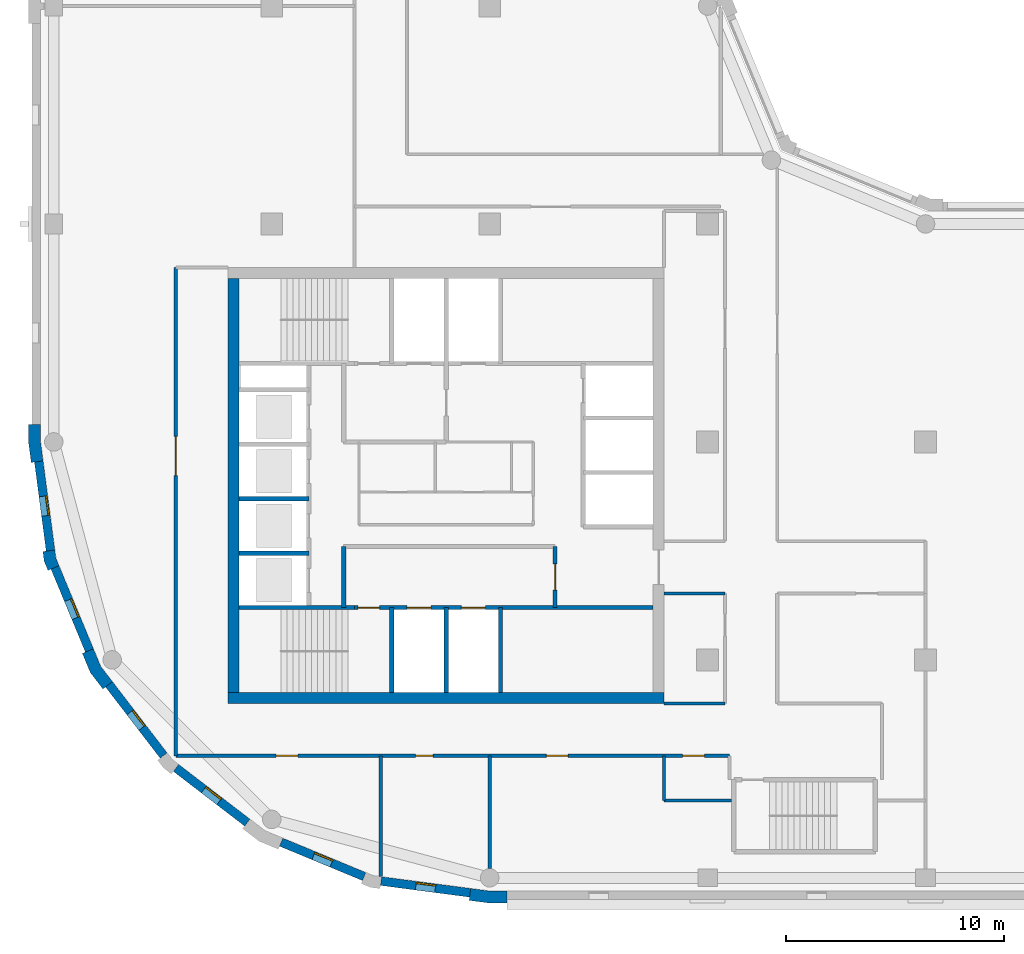
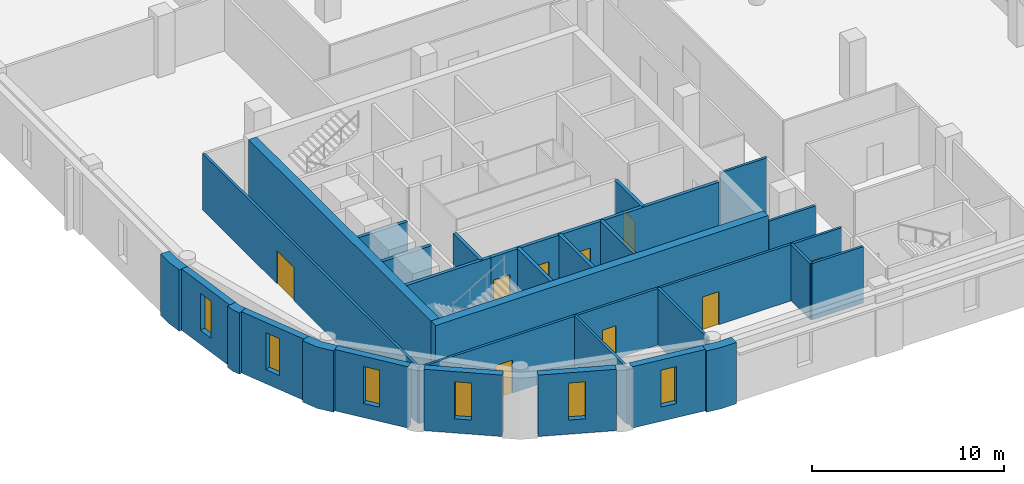
# One storey, part 2 of 9: 29 walls, 9 doors, 6 windows, 15 openings.
"""IFC4 building model written with IfcOpenShell, lengths in metres."""

from ifc_helpers import new_model, si_unit, direction, frame, frame_2d, origin, place, context, subcontext, project, spatial, polyline, rectangle, outline, extrude, material, layer, layer_set, type_object, element, fill, save


model = new_model("IFC4")

# Units and contexts
model_context = context("Model", 3, precision=1e-05, world=origin(), true_north=direction((0.0, 1.0)))
body_context = subcontext(model_context, "Body", "Model", "MODEL_VIEW")
ifc_project = project(units=[si_unit("LENGTHUNIT", "METRE"), si_unit("AREAUNIT", "SQUARE_METRE"), si_unit("VOLUMEUNIT", "CUBIC_METRE"), si_unit("PLANEANGLEUNIT", "RADIAN"), si_unit("MASSUNIT", "GRAM", prefix="KILO")], contexts=[model_context])

# Site, building, storey
site_placement = place(None, origin())
site = spatial("IfcSite", under=ifc_project, at=site_placement, CompositionType="ELEMENT")
building_placement = place(site_placement, origin())
building = spatial("IfcBuilding", under=site, at=building_placement, Name="Qaws Garden Tower", CompositionType="ELEMENT")
storey_placement = place(building_placement, frame((0.0, 0.0, 255.300048828125)))
storey = spatial("IfcBuildingStorey", under=building, at=storey_placement, Name="L61", CompositionType="ELEMENT", Elevation=255.300048828125)

# Wall, opening, window
ifc_material_1 = material(Name="Clay facing brick masonry", Category="masonry")
ifc_layer_1 = layer(ifc_material_1, 0.39990234375)
ifc_layer_set_1 = layer_set([ifc_layer_1], Name="Clay facing brick masonry")
wall_type_1 = type_object("IfcWallType", Name="Brick infill wall 400", PredefinedType="SOLIDWALL", material=ifc_layer_set_1)
wall_1_placement = place(storey_placement, frame((-0.688720703125, 19.102294921875, 0.0), z_axis=(0.0, 0.0, 1.0), x_axis=(0.130514280502, -0.991446429508, 0.0)))
wall_1 = element("IfcWall", 1, at=wall_1_placement, inside=storey, type_object=wall_type_1, Name="E-L61-infill-23", PredefinedType="SOLIDWALL", context=body_context, shape_type="SweptSolid", body=[
    extrude(rectangle(XDim=4.120849609375, YDim=0.39990234375, at=frame_2d((2.060546875, 0.0))), origin(), (0.0, 0.0, 1.0), 3.89990234375),
])
opening_1_placement = place(wall_1_placement, frame((1.610595703125, 0.0, 0.89990234375)))
opening_1 = element("IfcOpeningElement", 2, at=opening_1_placement, cuts=wall_1, Name="Opening W09", PredefinedType="OPENING", context=body_context, shape_type="SweptSolid", body=[
    extrude(rectangle(XDim=0.89990234375, YDim=2.35009765625, at=frame_2d((0.449951171875, 1.175048828125))), frame((0.0, 0.2099609375, 0.0), z_axis=(0.0, -1.0, 0.0), x_axis=(1.0, 0.0, 0.0)), (0.0, 0.0, 1.0), 0.419921875),
])
ifc_material_2 = material(Name="Aluminium framed window, clear glazing", Category="aluminium")
window_type = type_object("IfcWindowType", Name="Slit window 900 x 2350", PartitioningType="SINGLE_PANEL", PredefinedType="WINDOW", material=ifc_material_2)
window_1_placement = place(opening_1_placement, origin())
window_1 = element("IfcWindow", 3, at=window_1_placement, inside=storey, type_object=window_type, Name="E-L61-window-23-0", OverallHeight=2.35009765625, OverallWidth=0.89990234375, PartitioningType="SINGLE_PANEL", PredefinedType="WINDOW", context=body_context, shape_type="SweptSolid", body=[
    extrude(rectangle(XDim=0.89990234375, YDim=2.35009765625, at=frame_2d((0.449951171875, 1.175048828125))), frame((0.0, 0.159912109375, 0.0), z_axis=(0.0, -1.0, 0.0), x_axis=(1.0, 0.0, 0.0)), (0.0, 0.0, 1.0), 0.06005859375),
])
fill(opening_1, window_1)

wall_2_placement = place(storey_placement, frame((0.05712890625, 14.240234375, 0.0), z_axis=(0.0, 0.0, 1.0), x_axis=(0.382721546029, -0.923863744394, 0.0)))
wall_2 = element("IfcWall", 4, at=wall_2_placement, inside=storey, type_object=wall_type_1, Name="E-L61-infill-24", PredefinedType="SOLIDWALL", context=body_context, shape_type="SweptSolid", body=[
    extrude(rectangle(XDim=4.120849609375, YDim=0.39990234375, at=frame_2d((2.060546875, 0.0))), origin(), (0.0, 0.0, 1.0), 3.89990234375),
])
opening_2_placement = place(wall_2_placement, frame((1.610595703125, 0.0, 0.89990234375)))
opening_2 = element("IfcOpeningElement", 5, at=opening_2_placement, cuts=wall_2, Name="Opening W09", PredefinedType="OPENING", context=body_context, shape_type="SweptSolid", body=[
    extrude(rectangle(XDim=0.89990234375, YDim=2.35009765625, at=frame_2d((0.449951171875, 1.175048828125))), frame((0.0, 0.2099609375, 0.0), z_axis=(0.0, -1.0, 0.0), x_axis=(1.0, 0.0, 0.0)), (0.0, 0.0, 1.0), 0.419921875),
])
window_2_placement = place(opening_2_placement, origin())
window_2 = element("IfcWindow", 6, at=window_2_placement, inside=storey, type_object=window_type, Name="E-L61-window-24-0", OverallHeight=2.35009765625, OverallWidth=0.89990234375, PartitioningType="SINGLE_PANEL", PredefinedType="WINDOW", context=body_context, shape_type="SweptSolid", body=[
    extrude(rectangle(XDim=0.89990234375, YDim=2.35009765625, at=frame_2d((0.449951171875, 1.175048828125))), frame((0.0, 0.159912109375, 0.0), z_axis=(0.0, -1.0, 0.0), x_axis=(1.0, 0.0, 0.0)), (0.0, 0.0, 1.0), 0.06005859375),
])
fill(opening_2, window_2)

wall_3_placement = place(storey_placement, frame((2.53173828125, 8.87841796875, 0.0), z_axis=(0.0, 0.0, 1.0), x_axis=(0.608759824817, -0.793354571229, 0.0)))
wall_3 = element("IfcWall", 7, at=wall_3_placement, inside=storey, type_object=wall_type_1, Name="E-L61-infill-25", PredefinedType="SOLIDWALL", context=body_context, shape_type="SweptSolid", body=[
    extrude(rectangle(XDim=4.12109375, YDim=0.39990234375, at=frame_2d((2.060546875, 0.0))), origin(), (0.0, 0.0, 1.0), 3.89990234375),
])
opening_3_placement = place(wall_3_placement, frame((1.610595703125, 0.0, 0.89990234375)))
opening_3 = element("IfcOpeningElement", 8, at=opening_3_placement, cuts=wall_3, Name="Opening W09", PredefinedType="OPENING", context=body_context, shape_type="SweptSolid", body=[
    extrude(rectangle(XDim=0.89990234375, YDim=2.35009765625, at=frame_2d((0.449951171875, 1.175048828125))), frame((0.0, 0.2099609375, 0.0), z_axis=(0.0, -1.0, 0.0), x_axis=(1.0, 0.0, 0.0)), (0.0, 0.0, 1.0), 0.419921875),
])
window_3_placement = place(opening_3_placement, origin())
window_3 = element("IfcWindow", 9, at=window_3_placement, inside=storey, type_object=window_type, Name="E-L61-window-25-0", OverallHeight=2.35009765625, OverallWidth=0.89990234375, PartitioningType="SINGLE_PANEL", PredefinedType="WINDOW", context=body_context, shape_type="SweptSolid", body=[
    extrude(rectangle(XDim=0.89990234375, YDim=2.35009765625, at=frame_2d((0.449951171875, 1.175048828125))), frame((0.0, 0.159912109375, 0.0), z_axis=(0.0, -1.0, 0.0), x_axis=(1.0, 0.0, 0.0)), (0.0, 0.0, 1.0), 0.06005859375),
])
fill(opening_3, window_3)

wall_4_placement = place(storey_placement, frame((5.60888671875, 5.04052734375, 0.0), z_axis=(0.0, 0.0, 1.0), x_axis=(0.793354571229, -0.608759824817, 0.0)))
wall_4 = element("IfcWall", 10, at=wall_4_placement, inside=storey, type_object=wall_type_1, Name="E-L61-infill-26", PredefinedType="SOLIDWALL", context=body_context, shape_type="SweptSolid", body=[
    extrude(rectangle(XDim=4.12109375, YDim=0.39990234375, at=frame_2d((2.060546875, 0.0))), origin(), (0.0, 0.0, 1.0), 3.89990234375),
])
opening_4_placement = place(wall_4_placement, frame((1.610595703125, 0.0, 0.89990234375)))
opening_4 = element("IfcOpeningElement", 11, at=opening_4_placement, cuts=wall_4, Name="Opening W09", PredefinedType="OPENING", context=body_context, shape_type="SweptSolid", body=[
    extrude(rectangle(XDim=0.89990234375, YDim=2.35009765625, at=frame_2d((0.449951171875, 1.175048828125))), frame((0.0, 0.2099609375, 0.0), z_axis=(0.0, -1.0, 0.0), x_axis=(1.0, 0.0, 0.0)), (0.0, 0.0, 1.0), 0.419921875),
])
window_4_placement = place(opening_4_placement, origin())
window_4 = element("IfcWindow", 12, at=window_4_placement, inside=storey, type_object=window_type, Name="E-L61-window-26-0", OverallHeight=2.35009765625, OverallWidth=0.89990234375, PartitioningType="SINGLE_PANEL", PredefinedType="WINDOW", context=body_context, shape_type="SweptSolid", body=[
    extrude(rectangle(XDim=0.89990234375, YDim=2.35009765625, at=frame_2d((0.449951171875, 1.175048828125))), frame((0.0, 0.159912109375, 0.0), z_axis=(0.0, -1.0, 0.0), x_axis=(1.0, 0.0, 0.0)), (0.0, 0.0, 1.0), 0.06005859375),
])
fill(opening_4, window_4)

wall_5_placement = place(storey_placement, frame((10.43310546875, 1.63427734375, 0.0), z_axis=(0.0, 0.0, 1.0), x_axis=(0.923863744394, -0.382721546029, 0.0)))
wall_5 = element("IfcWall", 13, at=wall_5_placement, inside=storey, type_object=wall_type_1, Name="E-L61-infill-27", PredefinedType="SOLIDWALL", context=body_context, shape_type="SweptSolid", body=[
    extrude(rectangle(XDim=4.120849609375, YDim=0.39990234375, at=frame_2d((2.060546875, 0.0))), origin(), (0.0, 0.0, 1.0), 3.89990234375),
])
opening_5_placement = place(wall_5_placement, frame((1.610595703125, 0.0, 0.89990234375)))
opening_5 = element("IfcOpeningElement", 14, at=opening_5_placement, cuts=wall_5, Name="Opening W09", PredefinedType="OPENING", context=body_context, shape_type="SweptSolid", body=[
    extrude(rectangle(XDim=0.89990234375, YDim=2.35009765625, at=frame_2d((0.449951171875, 1.175048828125))), frame((0.0, 0.2099609375, 0.0), z_axis=(0.0, -1.0, 0.0), x_axis=(1.0, 0.0, 0.0)), (0.0, 0.0, 1.0), 0.419921875),
])
window_5_placement = place(opening_5_placement, origin())
window_5 = element("IfcWindow", 15, at=window_5_placement, inside=storey, type_object=window_type, Name="E-L61-window-27-0", OverallHeight=2.35009765625, OverallWidth=0.89990234375, PartitioningType="SINGLE_PANEL", PredefinedType="WINDOW", context=body_context, shape_type="SweptSolid", body=[
    extrude(rectangle(XDim=0.89990234375, YDim=2.35009765625, at=frame_2d((0.449951171875, 1.175048828125))), frame((0.0, 0.159912109375, 0.0), z_axis=(0.0, -1.0, 0.0), x_axis=(1.0, 0.0, 0.0)), (0.0, 0.0, 1.0), 0.06005859375),
])
fill(opening_5, window_5)

wall_6_placement = place(storey_placement, frame((15.0166015625, -0.15087890625, 0.0), z_axis=(0.0, 0.0, 1.0), x_axis=(0.991446429508, -0.130514280502, 0.0)))
wall_6 = element("IfcWall", 16, at=wall_6_placement, inside=storey, type_object=wall_type_1, Name="E-L61-infill-28", PredefinedType="SOLIDWALL", context=body_context, shape_type="SweptSolid", body=[
    extrude(rectangle(XDim=4.120849609375, YDim=0.39990234375, at=frame_2d((2.060546875, 0.0))), origin(), (0.0, 0.0, 1.0), 3.89990234375),
])
opening_6_placement = place(wall_6_placement, frame((1.610595703125, 0.0, 0.89990234375)))
opening_6 = element("IfcOpeningElement", 17, at=opening_6_placement, cuts=wall_6, Name="Opening W09", PredefinedType="OPENING", context=body_context, shape_type="SweptSolid", body=[
    extrude(rectangle(XDim=0.89990234375, YDim=2.35009765625, at=frame_2d((0.449951171875, 1.175048828125))), frame((0.0, 0.2099609375, 0.0), z_axis=(0.0, -1.0, 0.0), x_axis=(1.0, 0.0, 0.0)), (0.0, 0.0, 1.0), 0.419921875),
])
window_6_placement = place(opening_6_placement, origin())
window_6 = element("IfcWindow", 18, at=window_6_placement, inside=storey, type_object=window_type, Name="E-L61-window-28-0", OverallHeight=2.35009765625, OverallWidth=0.89990234375, PartitioningType="SINGLE_PANEL", PredefinedType="WINDOW", context=body_context, shape_type="SweptSolid", body=[
    extrude(rectangle(XDim=0.89990234375, YDim=2.35009765625, at=frame_2d((0.449951171875, 1.175048828125))), frame((0.0, 0.159912109375, 0.0), z_axis=(0.0, -1.0, 0.0), x_axis=(1.0, 0.0, 0.0)), (0.0, 0.0, 1.0), 0.06005859375),
])
fill(opening_6, window_6)

# Walls
ifc_material_3 = material(Name="Clay facing brick masonry", Category="masonry")
ifc_layer_2 = layer(ifc_material_3, 0.550048828125)
ifc_layer_set_2 = layer_set([ifc_layer_2], Name="Clay facing brick masonry")
wall_type_2 = type_object("IfcWallType", Name="Brick kink pier 550 x 600", PredefinedType="SOLIDWALL", material=ifc_layer_set_2)
placement = place(storey_placement, origin())
element("IfcWall", 19, at=placement, inside=storey, type_object=wall_type_2, Name="E-L61-pier-24", PredefinedType="SOLIDWALL", context=body_context, shape_type="SweptSolid", body=[
    extrude(outline(polyline([(-0.34912109375, 14.990478515625), (-0.497802734375, 14.970947265625), (-0.43896484375, 14.5234375), (-0.26611328125, 14.1064453125), (-0.127685546875, 14.163818359375), (0.241943359375, 14.31689453125), (0.096923828125, 14.6669921875), (0.04736328125, 15.042724609375), (-0.34912109375, 14.990478515625)])), origin(), (0.0, 0.0, 1.0), 3.89990234375),
])
ifc_material_4 = material(Name="Clay facing brick masonry", Category="masonry")
ifc_layer_3 = layer(ifc_material_4, 0.550048828125)
ifc_layer_set_3 = layer_set([ifc_layer_3], Name="Clay facing brick masonry")
wall_type_3 = type_object("IfcWallType", Name="Brick pier 550 x 1600", PredefinedType="SOLIDWALL", material=ifc_layer_set_3)
element("IfcWall", 20, at=placement, inside=storey, type_object=wall_type_3, Name="E-L61-pier-00", PredefinedType="SOLIDWALL", context=body_context, shape_type="SweptSolid", body=[
    extrude(outline(polyline([(19.076416015625, -0.886962890625), (19.056640625, -1.03564453125), (19.924560546875, -1.14990234375), (20.800048828125, -1.14990234375), (20.800048828125, -1.0), (20.800048828125, -0.60009765625), (19.960693359375, -0.60009765625), (19.12841796875, -0.490478515625), (19.076416015625, -0.886962890625)])), origin(), (0.0, 0.0, 1.0), 3.89990234375),
])
element("IfcWall", 21, at=placement, inside=storey, type_object=wall_type_3, Name="E-L61-pier-23", PredefinedType="SOLIDWALL", context=body_context, shape_type="SweptSolid", body=[
    extrude(outline(polyline([(-1.0, 20.800048828125), (-1.14990234375, 20.800048828125), (-1.14990234375, 19.924560546875), (-1.03564453125, 19.056640625), (-0.886962890625, 19.076416015625), (-0.490478515625, 19.12841796875), (-0.60009765625, 19.960693359375), (-0.60009765625, 20.800048828125), (-1.0, 20.800048828125)])), origin(), (0.0, 0.0, 1.0), 3.89990234375),
])
element("IfcWall", 22, at=placement, inside=storey, type_object=wall_type_3, Name="E-L61-pier-25", PredefinedType="SOLIDWALL", context=body_context, shape_type="SweptSolid", body=[
    extrude(outline(polyline([(1.449462890625, 10.3564453125), (1.310791015625, 10.299072265625), (1.675048828125, 9.419921875), (2.254150390625, 8.665283203125), (2.373046875, 8.756591796875), (2.6904296875, 9.0), (2.1552734375, 9.697509765625), (1.819091796875, 10.509521484375), (1.449462890625, 10.3564453125)])), origin(), (0.0, 0.0, 1.0), 3.89990234375),
])
ifc_material_5 = material(Name="Concrete C60", Category="concrete")
ifc_layer_4 = layer(ifc_material_5, 0.199951171875)
ifc_layer_set_4 = layer_set([ifc_layer_4], Name="Concrete C60")
wall_type_4 = type_object("IfcWallType", Name="Core shaft wall 200 C60", PredefinedType="SHEAR", material=ifc_layer_set_4)
wall_11_placement = place(storey_placement, frame((8.5, 12.39990234375, 0.0), z_axis=(0.0, 0.0, 1.0), x_axis=(1.0, 0.0, 0.0)))
element("IfcWall", 23, at=wall_11_placement, inside=storey, type_object=wall_type_4, Name="Shaft wall", PredefinedType="SHEAR", context=body_context, shape_type="SweptSolid", body=[
    extrude(rectangle(XDim=5.300048828125, YDim=0.199951171875, at=frame_2d((2.64990234375, 0.0))), origin(), (0.0, 0.0, 1.0), 3.579833984375),
])

# Wall, openings, doors
wall_12_placement = place(storey_placement, frame((13.800048828125, 12.39990234375, 0.0), z_axis=(0.0, 0.0, 1.0), x_axis=(1.0, 0.0, 0.0)))
wall_12 = element("IfcWall", 24, at=wall_12_placement, inside=storey, type_object=wall_type_4, Name="Shaft wall", PredefinedType="SHEAR", context=body_context, shape_type="SweptSolid", body=[
    extrude(rectangle(XDim=13.699951171875, YDim=0.199951171875, at=frame_2d((6.85009765625, 0.0))), origin(), (0.0, 0.0, 1.0), 3.579833984375),
])
opening_7_placement = place(wall_12_placement, frame((2.39990234375, 0.0, 0.0)))
opening_7 = element("IfcOpeningElement", 25, at=opening_7_placement, cuts=wall_12, Name="Opening LD06", PredefinedType="OPENING", context=body_context, shape_type="SweptSolid", body=[
    extrude(rectangle(XDim=1.10009765625, YDim=2.10009765625, at=frame_2d((0.550048828125, 1.050048828125))), frame((0.0, 0.10986328125, 0.0), z_axis=(0.0, -1.0, 0.0), x_axis=(1.0, 0.0, 0.0)), (0.0, 0.0, 1.0), 0.219970703125),
])
opening_8_placement = place(wall_12_placement, frame((4.89990234375, 0.0, 0.0)))
opening_8 = element("IfcOpeningElement", 26, at=opening_8_placement, cuts=wall_12, Name="Opening LD07", PredefinedType="OPENING", context=body_context, shape_type="SweptSolid", body=[
    extrude(rectangle(XDim=1.10009765625, YDim=2.10009765625, at=frame_2d((0.550048828125, 1.050048828125))), frame((0.0, 0.10986328125, 0.0), z_axis=(0.0, -1.0, 0.0), x_axis=(1.0, 0.0, 0.0)), (0.0, 0.0, 1.0), 0.219970703125),
])
opening_9_placement = place(wall_12_placement, frame((0.14990234375, 0.0, 0.0)))
opening_9 = element("IfcOpeningElement", 27, at=opening_9_placement, cuts=wall_12, Name="Opening SD10", PredefinedType="OPENING", context=body_context, shape_type="SweptSolid", body=[
    extrude(rectangle(XDim=1.0, YDim=2.10009765625, at=frame_2d((0.5, 1.050048828125))), frame((0.0, 0.10986328125, 0.0), z_axis=(0.0, -1.0, 0.0), x_axis=(1.0, 0.0, 0.0)), (0.0, 0.0, 1.0), 0.219970703125),
])
ifc_material_6 = material(Name="Steel S235", Category="steel")
door_type_1 = type_object("IfcDoorType", Name="Landing door 1100x2100", OperationType="DOUBLE_DOOR_SLIDING", PredefinedType="DOOR", material=ifc_material_6)
door_1_placement = place(opening_7_placement, origin())
door_1 = element("IfcDoor", 28, at=door_1_placement, inside=storey, type_object=door_type_1, Name="Lift FF1 landing door", OperationType="DOUBLE_DOOR_SLIDING", OverallHeight=2.10009765625, OverallWidth=1.10009765625, PredefinedType="DOOR", context=body_context, shape_type="SweptSolid", body=[
    extrude(rectangle(XDim=1.10009765625, YDim=2.10009765625, at=frame_2d((0.550048828125, 1.050048828125))), frame((0.0, 0.02490234375, 0.0), z_axis=(0.0, -1.0, 0.0), x_axis=(1.0, 0.0, 0.0)), (0.0, 0.0, 1.0), 0.050048828125),
])
fill(opening_7, door_1)
door_2_placement = place(opening_8_placement, origin())
door_2 = element("IfcDoor", 29, at=door_2_placement, inside=storey, type_object=door_type_1, Name="Lift FF2 landing door", OperationType="DOUBLE_DOOR_SLIDING", OverallHeight=2.10009765625, OverallWidth=1.10009765625, PredefinedType="DOOR", context=body_context, shape_type="SweptSolid", body=[
    extrude(rectangle(XDim=1.10009765625, YDim=2.10009765625, at=frame_2d((0.550048828125, 1.050048828125))), frame((0.0, 0.02490234375, 0.0), z_axis=(0.0, -1.0, 0.0), x_axis=(1.0, 0.0, 0.0)), (0.0, 0.0, 1.0), 0.050048828125),
])
fill(opening_8, door_2)
ifc_material_7 = material(Name="Steel S235", Category="steel")
door_type_2 = type_object("IfcDoorType", Name="Stair door 1000x2100", OperationType="SINGLE_SWING_RIGHT", PredefinedType="DOOR", material=ifc_material_7)
door_3_placement = place(opening_9_placement, frame((1.0, 0.0, 0.0), z_axis=(0.0, 0.0, 1.0), x_axis=(-1.0, 0.0, 0.0)))
door_3 = element("IfcDoor", 30, at=door_3_placement, inside=storey, type_object=door_type_2, Name="Stair 1 door", OperationType="SINGLE_SWING_LEFT", OverallHeight=2.10009765625, OverallWidth=1.0, PredefinedType="DOOR", context=body_context, shape_type="SweptSolid", body=[
    extrude(rectangle(XDim=1.0, YDim=2.10009765625, at=frame_2d((0.5, 1.050048828125))), frame((0.0, 0.02490234375, 0.0), z_axis=(0.0, -1.0, 0.0), x_axis=(1.0, 0.0, 0.0)), (0.0, 0.0, 1.0), 0.050048828125),
])
fill(opening_9, door_3)

# Walls
for number, where, z_axis, x_axis, name in (
    (31, (8.5, 14.89990234375, 0.0), (0.0, 0.0, 1.0), (1.0, 0.0, 0.0), "Shaft wall"),
    (32, (8.5, 17.39990234375, 0.0), (0.0, 0.0, 1.0), (1.0, 0.0, 0.0), "Shaft wall"),
):
    element("IfcWall", number, at=place(storey_placement, frame(where, z_axis=z_axis, x_axis=x_axis)), inside=storey, type_object=wall_type_4, Name=name, PredefinedType="SHEAR", context=body_context, shape_type="SweptSolid", body=[
        extrude(rectangle(XDim=3.199951171875, YDim=0.199951171875, at=frame_2d((1.60009765625, 0.0))), origin(), (0.0, 0.0, 1.0), 3.579833984375),
    ])
wall_13_placement = place(storey_placement, frame((13.300048828125, 12.39990234375, 0.0), z_axis=(0.0, 0.0, 1.0), x_axis=(0.0, 1.0, 0.0)))
element("IfcWall", 33, at=wall_13_placement, inside=storey, type_object=wall_type_4, Name="Shaft wall", PredefinedType="SHEAR", context=body_context, shape_type="SweptSolid", body=[
    extrude(rectangle(XDim=2.800048828125, YDim=0.199951171875, at=frame_2d((1.39990234375, 0.0))), origin(), (0.0, 0.0, 1.0), 3.579833984375),
])
for number, where, z_axis, x_axis, name in (
    (34, (15.5, 8.5, 0.0), (0.0, 0.0, 1.0), (0.0, 1.0, 0.0), "Shaft wall"),
    (35, (18.0, 8.5, 0.0), (0.0, 0.0, 1.0), (0.0, 1.0, 0.0), "Shaft wall"),
    (36, (20.5, 8.5, 0.0), (0.0, 0.0, 1.0), (0.0, 1.0, 0.0), "Shaft wall"),
):
    element("IfcWall", number, at=place(storey_placement, frame(where, z_axis=z_axis, x_axis=x_axis)), inside=storey, type_object=wall_type_4, Name=name, PredefinedType="SHEAR", context=body_context, shape_type="SweptSolid", body=[
        extrude(rectangle(XDim=3.89990234375, YDim=0.199951171875, at=frame_2d((1.949951171875, 0.0))), origin(), (0.0, 0.0, 1.0), 3.579833984375),
    ])

# Wall, opening, door
wall_14_placement = place(storey_placement, frame((23.0, 12.39990234375, 0.0), z_axis=(0.0, 0.0, 1.0), x_axis=(0.0, 1.0, 0.0)))
wall_14 = element("IfcWall", 37, at=wall_14_placement, inside=storey, type_object=wall_type_4, Name="Shaft wall", PredefinedType="SHEAR", context=body_context, shape_type="SweptSolid", body=[
    extrude(rectangle(XDim=2.800048828125, YDim=0.199951171875, at=frame_2d((1.39990234375, 0.0))), origin(), (0.0, 0.0, 1.0), 3.579833984375),
])
opening_10_placement = place(wall_14_placement, frame((0.800048828125, 0.0, 0.0)))
opening_10 = element("IfcOpeningElement", 38, at=opening_10_placement, cuts=wall_14, Name="Opening FD15", PredefinedType="OPENING", context=body_context, shape_type="SweptSolid", body=[
    extrude(rectangle(XDim=1.199951171875, YDim=2.10009765625, at=frame_2d((0.60009765625, 1.050048828125))), frame((0.0, 0.10986328125, 0.0), z_axis=(0.0, -1.0, 0.0), x_axis=(1.0, 0.0, 0.0)), (0.0, 0.0, 1.0), 0.219970703125),
])
ifc_material_8 = material(Name="Steel S235", Category="steel")
door_type_3 = type_object("IfcDoorType", Name="Lobby door 1200x2100", OperationType="DOUBLE_DOOR_SINGLE_SWING", PredefinedType="DOOR", material=ifc_material_8)
door_4_placement = place(opening_10_placement, origin())
door_4 = element("IfcDoor", 39, at=door_4_placement, inside=storey, type_object=door_type_3, Name="Fire-fighting lobby door", OperationType="DOUBLE_DOOR_SINGLE_SWING", OverallHeight=2.10009765625, OverallWidth=1.199951171875, PredefinedType="DOOR", context=body_context, shape_type="SweptSolid", body=[
    extrude(rectangle(XDim=1.199951171875, YDim=2.10009765625, at=frame_2d((0.60009765625, 1.050048828125))), frame((0.0, 0.02490234375, 0.0), z_axis=(0.0, -1.0, 0.0), x_axis=(1.0, 0.0, 0.0)), (0.0, 0.0, 1.0), 0.050048828125),
])
fill(opening_10, door_4)

# Walls
ifc_material_9 = material(Name="Concrete C60", Category="concrete")
ifc_layer_5 = layer(ifc_material_9, 0.5)
ifc_layer_set_5 = layer_set([ifc_layer_5], Name="Concrete C60")
wall_type_5 = type_object("IfcWallType", Name="Core wall 500 C60", PredefinedType="SHEAR", material=ifc_layer_set_5)
wall_15_placement = place(storey_placement, frame((8.0, 8.25, 0.0), z_axis=(0.0, 0.0, 1.0), x_axis=(1.0, 0.0, 0.0)))
element("IfcWall", 40, at=wall_15_placement, inside=storey, type_object=wall_type_5, Name="Core wall L61 south", PredefinedType="SHEAR", context=body_context, shape_type="SweptSolid", body=[
    extrude(rectangle(XDim=20.0, YDim=0.5, at=frame_2d((10.0, 0.0))), origin(), (0.0, 0.0, 1.0), 3.89990234375),
])
wall_16_placement = place(storey_placement, frame((8.25, 27.5, 0.0), z_axis=(0.0, 0.0, 1.0), x_axis=(0.0, -1.0, 0.0)))
element("IfcWall", 41, at=wall_16_placement, inside=storey, type_object=wall_type_5, Name="Core wall L61 west", PredefinedType="SHEAR", context=body_context, shape_type="SweptSolid", body=[
    extrude(rectangle(XDim=19.0, YDim=0.5, at=frame_2d((9.5, 0.0))), origin(), (0.0, 0.0, 1.0), 3.89990234375),
])

# Wall, opening, door
ifc_material_10 = material(Name="Gypsum board partition")
ifc_layer_6 = layer(ifc_material_10, 0.14990234375)
ifc_layer_set_6 = layer_set([ifc_layer_6], Name="Gypsum board partition")
wall_type_6 = type_object("IfcWallType", Name="PARTITION 150 EI 60", PredefinedType="PARTITIONING", material=ifc_layer_set_6)
wall_17_placement = place(storey_placement, frame((5.60009765625, 5.60009765625, 0.0), z_axis=(0.0, 0.0, 1.0), x_axis=(0.0, 1.0, 0.0)))
wall_17 = element("IfcWall", 42, at=wall_17_placement, inside=storey, type_object=wall_type_6, Name="O-L61-wall-004", PredefinedType="PARTITIONING", context=body_context, shape_type="SweptSolid", body=[
    extrude(rectangle(XDim=22.39990234375, YDim=0.14990234375, at=frame_2d((11.199951171875, 0.0))), origin(), (0.0, 0.0, 1.0), 3.579833984375),
])
opening_11_placement = place(wall_17_placement, frame((12.85009765625, 0.0, 0.0)))
opening_11 = element("IfcOpeningElement", 43, at=opening_11_placement, cuts=wall_17, Name="Opening C114", PredefinedType="OPENING", context=body_context, shape_type="SweptSolid", body=[
    extrude(rectangle(XDim=1.800048828125, YDim=2.10009765625, at=frame_2d((0.89990234375, 1.050048828125))), frame((0.0, 0.0849609375, 0.0), z_axis=(0.0, -1.0, 0.0), x_axis=(1.0, 0.0, 0.0)), (0.0, 0.0, 1.0), 0.169921875),
])
ifc_material_11 = material(Name="Timber door leaf", Category="wood")
door_type_4 = type_object("IfcDoorType", Name="DOUBLE DOOR 1800 X 2100", OperationType="DOUBLE_DOOR_SINGLE_SWING", PredefinedType="DOOR", material=ifc_material_11)
door_5_placement = place(opening_11_placement, origin())
door_5 = element("IfcDoor", 44, at=door_5_placement, inside=storey, type_object=door_type_4, Name="O-L61-door-014", OperationType="DOUBLE_DOOR_SINGLE_SWING", OverallHeight=2.10009765625, OverallWidth=1.800048828125, PredefinedType="DOOR", context=body_context, shape_type="SweptSolid", body=[
    extrude(rectangle(XDim=1.800048828125, YDim=2.10009765625, at=frame_2d((0.89990234375, 1.050048828125))), frame((0.0, 0.02490234375, 0.0), z_axis=(0.0, -1.0, 0.0), x_axis=(1.0, 0.0, 0.0)), (0.0, 0.0, 1.0), 0.050048828125),
])
fill(opening_11, door_5)

# Walls
wall_18_placement = place(storey_placement, frame((15.0, 0.06298828125, 0.0), z_axis=(0.0, 0.0, 1.0), x_axis=(0.0, 1.0, 0.0)))
element("IfcWall", 45, at=wall_18_placement, inside=storey, type_object=wall_type_6, Name="O-L61-wall-007", PredefinedType="PARTITIONING", context=body_context, shape_type="SweptSolid", body=[
    extrude(rectangle(XDim=5.537109375, YDim=0.14990234375, at=frame_2d((2.7685546875, 0.0))), origin(), (0.0, 0.0, 1.0), 3.579833984375),
])
wall_19_placement = place(storey_placement, frame((20.0, 0.425048828125, 0.0), z_axis=(0.0, 0.0, 1.0), x_axis=(0.0, 1.0, 0.0)))
element("IfcWall", 46, at=wall_19_placement, inside=storey, type_object=wall_type_6, Name="O-L61-wall-009", PredefinedType="PARTITIONING", context=body_context, shape_type="SweptSolid", body=[
    extrude(rectangle(XDim=5.175048828125, YDim=0.14990234375, at=frame_2d((2.58740234375, 0.0))), origin(), (0.0, 0.0, 1.0), 3.579833984375),
])
wall_20_placement = place(storey_placement, frame((28.0, 3.550048828125, 0.0), z_axis=(0.0, 0.0, 1.0), x_axis=(0.0, 1.0, 0.0)))
element("IfcWall", 47, at=wall_20_placement, inside=storey, type_object=wall_type_6, Name="O-L61-wall-010", PredefinedType="PARTITIONING", context=body_context, shape_type="SweptSolid", body=[
    extrude(rectangle(XDim=2.050048828125, YDim=0.14990234375, at=frame_2d((1.02490234375, 0.0))), origin(), (0.0, 0.0, 1.0), 3.579833984375),
])
wall_21_placement = place(storey_placement, frame((28.0, 3.550048828125, 0.0), z_axis=(0.0, 0.0, 1.0), x_axis=(1.0, 0.0, 0.0)))
element("IfcWall", 48, at=wall_21_placement, inside=storey, type_object=wall_type_6, Name="O-L61-wall-019", PredefinedType="PARTITIONING", context=body_context, shape_type="SweptSolid", body=[
    extrude(rectangle(XDim=3.10009765625, YDim=0.14990234375, at=frame_2d((1.550048828125, 0.0))), origin(), (0.0, 0.0, 1.0), 3.579833984375),
])

# Wall, openings, doors
wall_22_placement = place(storey_placement, frame((5.60009765625, 5.60009765625, 0.0), z_axis=(0.0, 0.0, 1.0), x_axis=(1.0, 0.0, 0.0)))
wall_22 = element("IfcWall", 49, at=wall_22_placement, inside=storey, type_object=wall_type_6, Name="O-L61-wall-021", PredefinedType="PARTITIONING", context=body_context, shape_type="SweptSolid", body=[
    extrude(rectangle(XDim=25.39990234375, YDim=0.14990234375, at=frame_2d((12.699951171875, 0.0))), origin(), (0.0, 0.0, 1.0), 3.579833984375),
])
opening_12_placement = place(wall_22_placement, frame((4.60009765625, 0.0, 0.0)))
opening_12 = element("IfcOpeningElement", 50, at=opening_12_placement, cuts=wall_22, Name="Opening C101", PredefinedType="OPENING", context=body_context, shape_type="SweptSolid", body=[
    extrude(rectangle(XDim=1.0, YDim=2.10009765625, at=frame_2d((0.5, 1.050048828125))), frame((0.0, 0.0849609375, 0.0), z_axis=(0.0, -1.0, 0.0), x_axis=(1.0, 0.0, 0.0)), (0.0, 0.0, 1.0), 0.169921875),
])
opening_13_placement = place(wall_22_placement, frame((11.0, 0.0, 0.0)))
opening_13 = element("IfcOpeningElement", 51, at=opening_13_placement, cuts=wall_22, Name="Opening C102", PredefinedType="OPENING", context=body_context, shape_type="SweptSolid", body=[
    extrude(rectangle(XDim=0.800048828125, YDim=2.10009765625, at=frame_2d((0.39990234375, 1.050048828125))), frame((0.0, 0.0849609375, 0.0), z_axis=(0.0, -1.0, 0.0), x_axis=(1.0, 0.0, 0.0)), (0.0, 0.0, 1.0), 0.169921875),
])
opening_14_placement = place(wall_22_placement, frame((17.0, 0.0, 0.0)))
opening_14 = element("IfcOpeningElement", 52, at=opening_14_placement, cuts=wall_22, Name="Opening C108", PredefinedType="OPENING", context=body_context, shape_type="SweptSolid", body=[
    extrude(rectangle(XDim=1.0, YDim=2.10009765625, at=frame_2d((0.5, 1.050048828125))), frame((0.0, 0.0849609375, 0.0), z_axis=(0.0, -1.0, 0.0), x_axis=(1.0, 0.0, 0.0)), (0.0, 0.0, 1.0), 0.169921875),
])
opening_15_placement = place(wall_22_placement, frame((23.25, 0.0, 0.0)))
opening_15 = element("IfcOpeningElement", 53, at=opening_15_placement, cuts=wall_22, Name="Opening C111", PredefinedType="OPENING", context=body_context, shape_type="SweptSolid", body=[
    extrude(rectangle(XDim=1.0, YDim=2.10009765625, at=frame_2d((0.5, 1.050048828125))), frame((0.0, 0.0849609375, 0.0), z_axis=(0.0, -1.0, 0.0), x_axis=(1.0, 0.0, 0.0)), (0.0, 0.0, 1.0), 0.169921875),
])
ifc_material_12 = material(Name="Timber door leaf", Category="wood")
door_type_5 = type_object("IfcDoorType", Name="STORE DOOR 800 X 2100", OperationType="SINGLE_SWING_LEFT", PredefinedType="DOOR", material=ifc_material_12)
door_6_placement = place(opening_13_placement, frame((0.800048828125, 0.0, 0.0), z_axis=(0.0, 0.0, 1.0), x_axis=(-1.0, 0.0, 0.0)))
door_6 = element("IfcDoor", 54, at=door_6_placement, inside=storey, type_object=door_type_5, Name="O-L61-door-002", OperationType="SINGLE_SWING_LEFT", OverallHeight=2.10009765625, OverallWidth=0.800048828125, PredefinedType="DOOR", context=body_context, shape_type="SweptSolid", body=[
    extrude(rectangle(XDim=0.800048828125, YDim=2.10009765625, at=frame_2d((0.39990234375, 1.050048828125))), frame((0.0, 0.02490234375, 0.0), z_axis=(0.0, -1.0, 0.0), x_axis=(1.0, 0.0, 0.0)), (0.0, 0.0, 1.0), 0.050048828125),
])
fill(opening_13, door_6)
ifc_material_13 = material(Name="Timber door leaf", Category="wood")
door_type_6 = type_object("IfcDoorType", Name="TENANCY ENTRANCE DOOR 1000 X 2100", OperationType="SINGLE_SWING_LEFT", PredefinedType="DOOR", material=ifc_material_13)
door_7_placement = place(opening_12_placement, frame((1.0, 0.0, 0.0), z_axis=(0.0, 0.0, 1.0), x_axis=(-1.0, 0.0, 0.0)))
door_7 = element("IfcDoor", 55, at=door_7_placement, inside=storey, type_object=door_type_6, Name="O-L61-door-001", OperationType="SINGLE_SWING_LEFT", OverallHeight=2.10009765625, OverallWidth=1.0, PredefinedType="DOOR", context=body_context, shape_type="SweptSolid", body=[
    extrude(rectangle(XDim=1.0, YDim=2.10009765625, at=frame_2d((0.5, 1.050048828125))), frame((0.0, 0.02490234375, 0.0), z_axis=(0.0, -1.0, 0.0), x_axis=(1.0, 0.0, 0.0)), (0.0, 0.0, 1.0), 0.050048828125),
])
fill(opening_12, door_7)
door_8_placement = place(opening_14_placement, frame((1.0, 0.0, 0.0), z_axis=(0.0, 0.0, 1.0), x_axis=(-1.0, 0.0, 0.0)))
door_8 = element("IfcDoor", 56, at=door_8_placement, inside=storey, type_object=door_type_6, Name="O-L61-door-008", OperationType="SINGLE_SWING_LEFT", OverallHeight=2.10009765625, OverallWidth=1.0, PredefinedType="DOOR", context=body_context, shape_type="SweptSolid", body=[
    extrude(rectangle(XDim=1.0, YDim=2.10009765625, at=frame_2d((0.5, 1.050048828125))), frame((0.0, 0.02490234375, 0.0), z_axis=(0.0, -1.0, 0.0), x_axis=(1.0, 0.0, 0.0)), (0.0, 0.0, 1.0), 0.050048828125),
])
fill(opening_14, door_8)
door_9_placement = place(opening_15_placement, frame((1.0, 0.0, 0.0), z_axis=(0.0, 0.0, 1.0), x_axis=(-1.0, 0.0, 0.0)))
door_9 = element("IfcDoor", 57, at=door_9_placement, inside=storey, type_object=door_type_6, Name="O-L61-door-011", OperationType="SINGLE_SWING_RIGHT", OverallHeight=2.10009765625, OverallWidth=1.0, PredefinedType="DOOR", context=body_context, shape_type="SweptSolid", body=[
    extrude(rectangle(XDim=1.0, YDim=2.10009765625, at=frame_2d((0.5, 1.050048828125))), frame((0.0, 0.02490234375, 0.0), z_axis=(0.0, -1.0, 0.0), x_axis=(1.0, 0.0, 0.0)), (0.0, 0.0, 1.0), 0.050048828125),
])
fill(opening_15, door_9)

# Walls
for number, where, z_axis, x_axis, name in (
    (58, (28.0, 8.0, 0.0), (0.0, 0.0, 1.0), (1.0, 0.0, 0.0), "O-L61-wall-022"),
    (59, (28.0, 13.050048828125, 0.0), (0.0, 0.0, 1.0), (1.0, 0.0, 0.0), "O-L61-wall-024"),
):
    element("IfcWall", number, at=place(storey_placement, frame(where, z_axis=z_axis, x_axis=x_axis)), inside=storey, type_object=wall_type_6, Name=name, PredefinedType="PARTITIONING", context=body_context, shape_type="SweptSolid", body=[
        extrude(rectangle(XDim=2.800048828125, YDim=0.14990234375, at=frame_2d((1.39990234375, 0.0))), origin(), (0.0, 0.0, 1.0), 3.579833984375),
    ])

save(model, "model.ifc")
